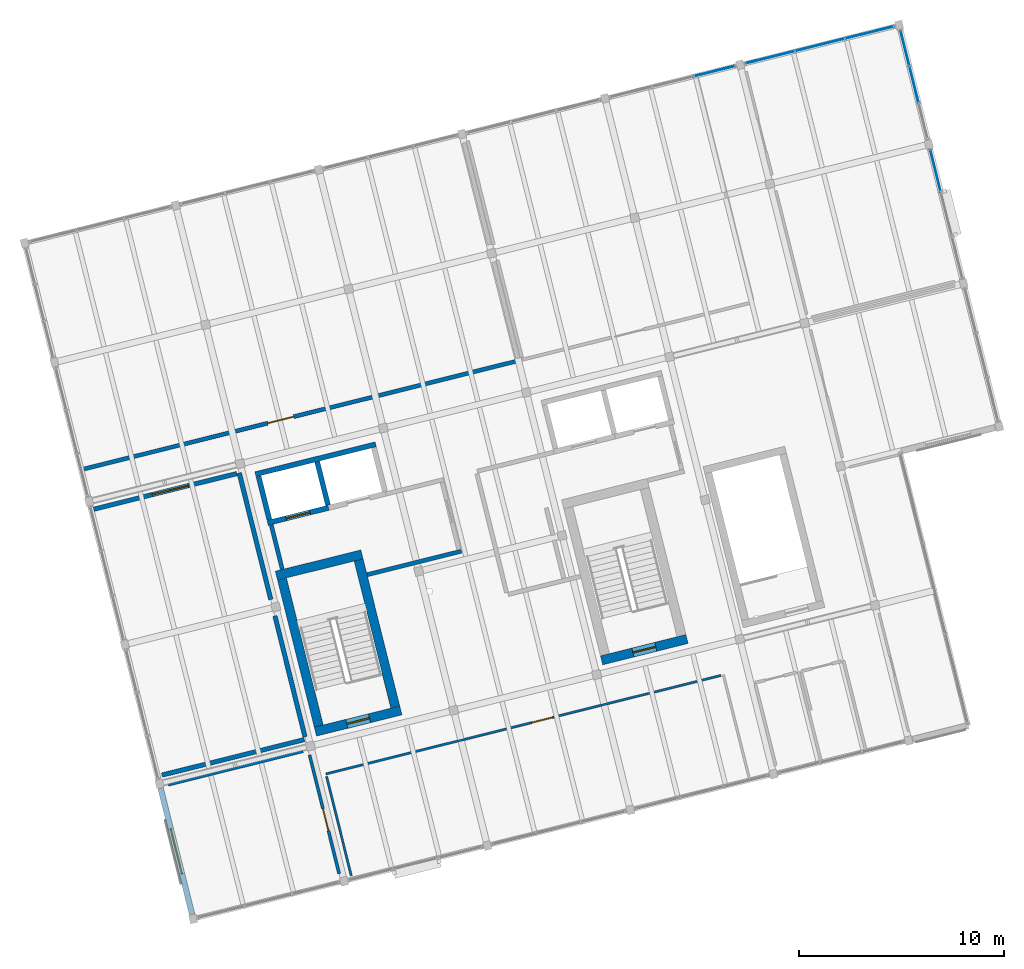
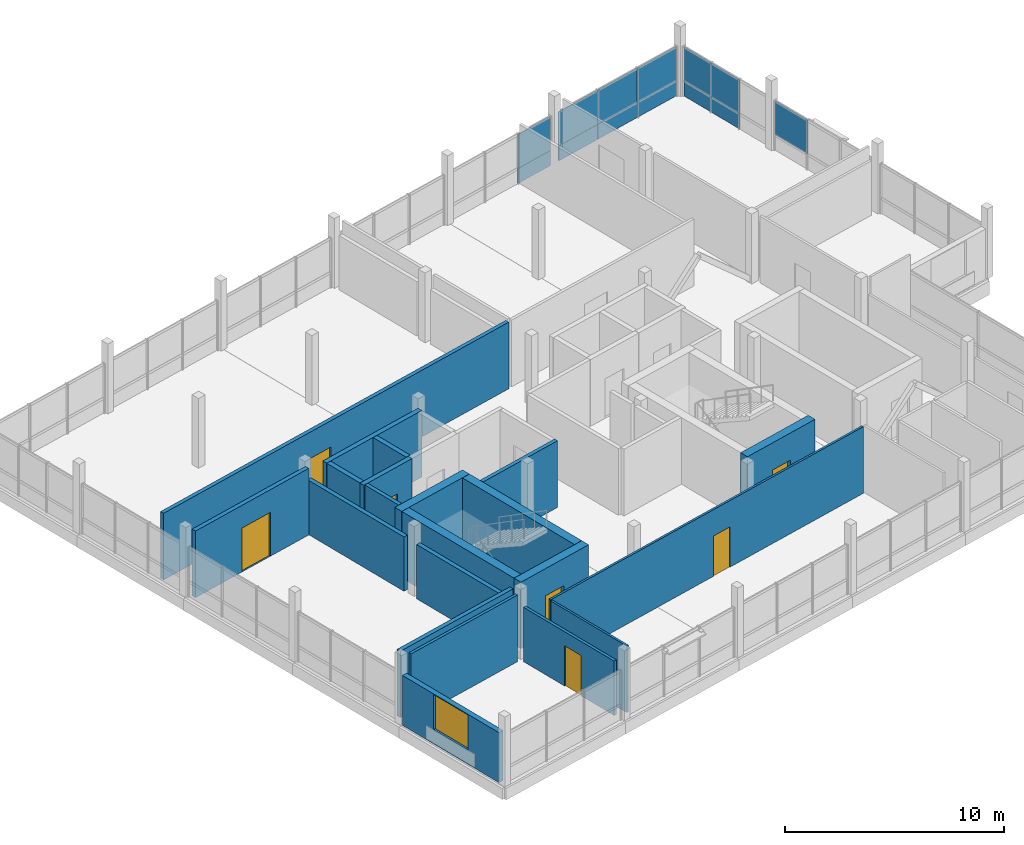
# One storey, part 25 of 28: 21 walls, 13 plates, 7 doors, 1 window, 8 openings, 4 elements without a shape of their own.
"""IFC4 building model written with IfcOpenShell, lengths in metres."""

from ifc_helpers import new_model, si_unit, direction, frame, frame_2d, origin, origin_2d, place, context, subcontext, project, spatial, rectangle, extrude, material, layer, layer_set, type_object, element, fill, aggregate, save


model = new_model("IFC4")

# Units and contexts
model_context = context("Model", 3, precision=1e-05, world=origin(), true_north=direction((0.0, 1.0)))
body_context = subcontext(model_context, "Body", "Model", "MODEL_VIEW")
ifc_project = project(units=[si_unit("LENGTHUNIT", "METRE"), si_unit("AREAUNIT", "SQUARE_METRE"), si_unit("VOLUMEUNIT", "CUBIC_METRE"), si_unit("PLANEANGLEUNIT", "RADIAN"), si_unit("MASSUNIT", "GRAM", prefix="KILO")], contexts=[model_context])

# Site, building, storey
site_placement = place(None, origin())
site = spatial("IfcSite", under=ifc_project, at=site_placement, CompositionType="ELEMENT")
building_placement = place(site_placement, origin())
building = spatial("IfcBuilding", under=site, at=building_placement, Name="Meriwether Solvik Hall", CompositionType="ELEMENT")
storey_placement = place(building_placement, frame((0.0, 0.0, 30.0)))
storey = spatial("IfcBuildingStorey", under=building, at=storey_placement, Name="L07", CompositionType="ELEMENT", Elevation=30.0)

# Curtain wall, plates
ifc_material_1 = material(Name="Thermally Broken Anodised Aluminium 6063-T6 and Low-E Glass", Category="aluminium")
ifc_layer_1 = layer(ifc_material_1, 0.179931640625)
ifc_layer_set_1 = layer_set([ifc_layer_1], Name="Thermally Broken Anodised Aluminium 6063-T6 and Low-E Glass")
curtain_wall_type_1 = type_object("IfcCurtainWallType", Name="CW-UNIT-C", PredefinedType="USERDEFINED", material=ifc_layer_set_1)
curtain_wall_1_placement = place(storey_placement, origin())
curtain_wall_1 = element("IfcCurtainWall", 1, at=curtain_wall_1_placement, inside=storey, type_object=curtain_wall_type_1, Name="Curtain Wall E3_B2 (L07)", ObjectType="UNITISED CURTAIN WALL", PredefinedType="USERDEFINED")
ifc_material_2 = material(Name="Low-Emissivity Double-Glazed Laminated Glass", Category="glass")
ifc_layer_2 = layer(ifc_material_2, 0.031982421875)
ifc_layer_set_2 = layer_set([ifc_layer_2], Name="Low-Emissivity Double-Glazed Laminated Glass")
plate_type_1 = type_object("IfcPlateType", Name="PLT-GLZ-195X185", PredefinedType="CURTAIN_PANEL", material=ifc_layer_set_2)
plate_1_placement = place(storey_placement, frame((103.35009765625, 83.702392578125, 0.8369140625), z_axis=(0.0, 0.0, 1.0), x_axis=(0.241921889131, -0.970295727889, 0.0)))
plate_1 = element("IfcPlate", 2, at=plate_1_placement, type_object=plate_type_1, Name="Low-E Vision Glazing Panel 1", PredefinedType="CURTAIN_PANEL", context=body_context, shape_type="SweptSolid", body=[
    extrude(rectangle(XDim=1.805908203125, YDim=0.033935546875, at=origin_2d()), origin(), (0.0, 0.0, 1.0), 1.89306640625),
])
plate_2_placement = place(storey_placement, frame((103.79345703125, 81.923828125, 0.8369140625), z_axis=(0.0, 0.0, 1.0), x_axis=(0.241921889131, -0.970295727889, 0.0)))
plate_2 = element("IfcPlate", 3, at=plate_2_placement, type_object=plate_type_1, Name="Low-E Vision Glazing Panel 2", PredefinedType="CURTAIN_PANEL", context=body_context, shape_type="SweptSolid", body=[
    extrude(rectangle(XDim=1.843994140625, YDim=0.033935546875, at=origin_2d()), origin(), (0.0, 0.0, 1.0), 1.89306640625),
])

# Curtain wall, plate
ifc_material_3 = material(Name="Thermally Broken Anodised Aluminium 6063-T6 and Low-E Glass", Category="aluminium")
ifc_layer_3 = layer(ifc_material_3, 0.179931640625)
ifc_layer_set_3 = layer_set([ifc_layer_3], Name="Thermally Broken Anodised Aluminium 6063-T6 and Low-E Glass")
curtain_wall_type_2 = type_object("IfcCurtainWallType", Name="CW-UNIT-B", PredefinedType="USERDEFINED", material=ifc_layer_set_3)
curtain_wall_2_placement = place(storey_placement, origin())
curtain_wall_2 = element("IfcCurtainWall", 4, at=curtain_wall_2_placement, inside=storey, type_object=curtain_wall_type_2, Name="Curtain Wall E3_B1 (L07)", ObjectType="UNITISED CURTAIN WALL", PredefinedType="USERDEFINED")
ifc_material_4 = material(Name="Low-Emissivity Double-Glazed Laminated Glass", Category="glass")
ifc_layer_4 = layer(ifc_material_4, 0.031982421875)
ifc_layer_set_4 = layer_set([ifc_layer_4], Name="Low-Emissivity Double-Glazed Laminated Glass")
plate_type_2 = type_object("IfcPlateType", Name="PLT-GLZ-210X195", PredefinedType="CURTAIN_PANEL", material=ifc_layer_set_4)
plate_3_placement = place(storey_placement, frame((104.841796875, 77.71875, 0.8369140625), z_axis=(0.0, 0.0, 1.0), x_axis=(0.241921751704, -0.970295762153, 0.0)))
plate_3 = element("IfcPlate", 5, at=plate_3_placement, type_object=plate_type_2, Name="Low-E Vision Glazing Panel 1", PredefinedType="CURTAIN_PANEL", context=body_context, shape_type="SweptSolid", body=[
    extrude(rectangle(XDim=2.139404296875, YDim=0.033935546875, at=origin_2d()), origin(), (0.0, 0.0, 1.0), 1.89306640625),
])
aggregate(curtain_wall_2, [plate_3])

# Curtain wall, plates
ifc_material_5 = material(Name="Thermally Broken Anodised Aluminium 6063-T6 and Low-E Glass", Category="aluminium")
ifc_layer_5 = layer(ifc_material_5, 0.179931640625)
ifc_layer_set_5 = layer_set([ifc_layer_5], Name="Thermally Broken Anodised Aluminium 6063-T6 and Low-E Glass")
curtain_wall_type_3 = type_object("IfcCurtainWallType", Name="CW-UNIT-G", PredefinedType="USERDEFINED", material=ifc_layer_set_5)
curtain_wall_3_placement = place(storey_placement, origin())
curtain_wall_3 = element("IfcCurtainWall", 6, at=curtain_wall_3_placement, inside=storey, type_object=curtain_wall_type_3, Name="Curtain Wall E4_B5 (L07)", ObjectType="UNITISED CURTAIN WALL", PredefinedType="USERDEFINED")
plate_4_placement = place(storey_placement, frame((96.760986328125, 83.26220703125, 0.8369140625), z_axis=(0.0, 0.0, 1.0), x_axis=(0.970295756284, 0.241921775244, 0.0)))
plate_4 = element("IfcPlate", 7, at=plate_4_placement, type_object=plate_type_2, Name="Low-E Vision Glazing Panel 1", PredefinedType="CURTAIN_PANEL", context=body_context, shape_type="SweptSolid", body=[
    extrude(rectangle(XDim=2.47265625, YDim=0.033935546875, at=origin_2d()), origin(), (0.0, 0.0, 1.0), 1.89306640625),
])
plate_5_placement = place(storey_placement, frame((99.1865234375, 83.866943359375, 0.8369140625), z_axis=(0.0, 0.0, 1.0), x_axis=(0.970295756284, 0.241921775244, 0.0)))
plate_5 = element("IfcPlate", 8, at=plate_5_placement, type_object=plate_type_2, Name="Low-E Vision Glazing Panel 2", PredefinedType="CURTAIN_PANEL", context=body_context, shape_type="SweptSolid", body=[
    extrude(rectangle(XDim=2.5107421875, YDim=0.033935546875, at=origin_2d()), origin(), (0.0, 0.0, 1.0), 1.89306640625),
])
plate_6_placement = place(storey_placement, frame((101.61181640625, 84.4716796875, 0.8369140625), z_axis=(0.0, 0.0, 1.0), x_axis=(0.970295756284, 0.241921775244, 0.0)))
plate_6 = element("IfcPlate", 9, at=plate_6_placement, type_object=plate_type_2, Name="Low-E Vision Glazing Panel 3", PredefinedType="CURTAIN_PANEL", context=body_context, shape_type="SweptSolid", body=[
    extrude(rectangle(XDim=2.47265625, YDim=0.033935546875, at=origin_2d()), origin(), (0.0, 0.0, 1.0), 1.89306640625),
])

# Curtain wall, plate
ifc_material_6 = material(Name="Thermally Broken Anodised Aluminium 6063-T6 and Low-E Glass", Category="aluminium")
ifc_layer_6 = layer(ifc_material_6, 0.179931640625)
ifc_layer_set_6 = layer_set([ifc_layer_6], Name="Thermally Broken Anodised Aluminium 6063-T6 and Low-E Glass")
curtain_wall_type_4 = type_object("IfcCurtainWallType", Name="CW-UNIT-F", PredefinedType="USERDEFINED", material=ifc_layer_set_6)
curtain_wall_4_placement = place(storey_placement, origin())
curtain_wall_4 = element("IfcCurtainWall", 10, at=curtain_wall_4_placement, inside=storey, type_object=curtain_wall_type_4, Name="Curtain Wall E4_B4 (L07)", ObjectType="UNITISED CURTAIN WALL", PredefinedType="USERDEFINED")
ifc_material_7 = material(Name="Low-Emissivity Double-Glazed Laminated Glass", Category="glass")
ifc_layer_7 = layer(ifc_material_7, 0.031982421875)
ifc_layer_set_7 = layer_set([ifc_layer_7], Name="Low-Emissivity Double-Glazed Laminated Glass")
plate_type_3 = type_object("IfcPlateType", Name="PLT-GLZ-225X195", PredefinedType="CURTAIN_PANEL", material=ifc_layer_set_7)
plate_7_placement = place(storey_placement, frame((94.043701171875, 82.584716796875, 0.8369140625), z_axis=(0.0, 0.0, 1.0), x_axis=(0.970295750618, 0.24192179797, 0.0)))
plate_7 = element("IfcPlate", 11, at=plate_7_placement, type_object=plate_type_3, Name="Low-E Vision Glazing Panel 3", PredefinedType="CURTAIN_PANEL", context=body_context, shape_type="SweptSolid", body=[
    extrude(rectangle(XDim=2.07275390625, YDim=0.033935546875, at=origin_2d()), origin(), (0.0, 0.0, 1.0), 1.89306640625),
])

# Plate
ifc_material_8 = material(Name="Mineral-Wool Insulated Anodised Aluminium 6063-T6", Category="aluminium")
ifc_layer_8 = layer(ifc_material_8, 0.044921875)
ifc_layer_set_8 = layer_set([ifc_layer_8], Name="Mineral-Wool Insulated Anodised Aluminium 6063-T6")
plate_type_4 = type_object("IfcPlateType", Name="PLT-SPN-225X085", PredefinedType="CURTAIN_PANEL", material=ifc_layer_set_8)
plate_8_placement = place(storey_placement, frame((103.35009765625, 83.702392578125, 0.0), z_axis=(0.0, 0.0, 1.0), x_axis=(0.241921889131, -0.970295727889, 0.0)))
plate_8 = element("IfcPlate", 12, at=plate_8_placement, type_object=plate_type_4, Name="Insulated Spandrel Panel 1", PredefinedType="CURTAIN_PANEL", context=body_context, shape_type="SweptSolid", body=[
    extrude(rectangle(XDim=1.805908203125, YDim=0.044921875, at=origin_2d()), origin(), (0.0, 0.0, 1.0), 0.8369140625),
])

plate_9_placement = place(storey_placement, frame((103.79345703125, 81.923828125, 0.0), z_axis=(0.0, 0.0, 1.0), x_axis=(0.241921889131, -0.970295727889, 0.0)))
plate_9 = element("IfcPlate", 13, at=plate_9_placement, type_object=plate_type_4, Name="Insulated Spandrel Panel 2", PredefinedType="CURTAIN_PANEL", context=body_context, shape_type="SweptSolid", body=[
    extrude(rectangle(XDim=1.843994140625, YDim=0.044921875, at=origin_2d()), origin(), (0.0, 0.0, 1.0), 0.8369140625),
])

aggregate(curtain_wall_1, [plate_8, plate_1, plate_9, plate_2])

plate_10_placement = place(storey_placement, frame((94.043701171875, 82.584716796875, 0.0), z_axis=(0.0, 0.0, 1.0), x_axis=(0.970295750618, 0.24192179797, 0.0)))
plate_10 = element("IfcPlate", 14, at=plate_10_placement, type_object=plate_type_4, Name="Insulated Spandrel Panel 3", PredefinedType="CURTAIN_PANEL", context=body_context, shape_type="SweptSolid", body=[
    extrude(rectangle(XDim=2.07275390625, YDim=0.044921875, at=origin_2d()), origin(), (0.0, 0.0, 1.0), 0.8369140625),
])

aggregate(curtain_wall_4, [plate_10, plate_7])

plate_11_placement = place(storey_placement, frame((96.760986328125, 83.26220703125, 0.0), z_axis=(0.0, 0.0, 1.0), x_axis=(0.970295756284, 0.241921775244, 0.0)))
plate_11 = element("IfcPlate", 15, at=plate_11_placement, type_object=plate_type_4, Name="Insulated Spandrel Panel 1", PredefinedType="CURTAIN_PANEL", context=body_context, shape_type="SweptSolid", body=[
    extrude(rectangle(XDim=2.47265625, YDim=0.044921875, at=origin_2d()), origin(), (0.0, 0.0, 1.0), 0.8369140625),
])

plate_12_placement = place(storey_placement, frame((99.1865234375, 83.866943359375, 0.0), z_axis=(0.0, 0.0, 1.0), x_axis=(0.970295756284, 0.241921775244, 0.0)))
plate_12 = element("IfcPlate", 16, at=plate_12_placement, type_object=plate_type_4, Name="Insulated Spandrel Panel 2", PredefinedType="CURTAIN_PANEL", context=body_context, shape_type="SweptSolid", body=[
    extrude(rectangle(XDim=2.5107421875, YDim=0.044921875, at=origin_2d()), origin(), (0.0, 0.0, 1.0), 0.8369140625),
])

plate_13_placement = place(storey_placement, frame((101.61181640625, 84.4716796875, 0.0), z_axis=(0.0, 0.0, 1.0), x_axis=(0.970295756284, 0.241921775244, 0.0)))
plate_13 = element("IfcPlate", 17, at=plate_13_placement, type_object=plate_type_4, Name="Insulated Spandrel Panel 3", PredefinedType="CURTAIN_PANEL", context=body_context, shape_type="SweptSolid", body=[
    extrude(rectangle(XDim=2.47265625, YDim=0.044921875, at=origin_2d()), origin(), (0.0, 0.0, 1.0), 0.8369140625),
])

aggregate(curtain_wall_3, [plate_11, plate_4, plate_12, plate_5, plate_13, plate_6])

# Walls
ifc_material_9 = material(Name="Acoustic Mineral-Wool Double Gypsum Board", Category="gypsum")
ifc_layer_9 = layer(ifc_material_9, 0.219970703125)
ifc_layer_set_9 = layer_set([ifc_layer_9], Name="Acoustic Mineral-Wool Double Gypsum Board")
wall_type_1 = type_object("IfcWallType", Name="WALL-ACST-220", PredefinedType="PARTITIONING", material=ifc_layer_set_9)
wall_1_placement = place(storey_placement, frame((67.07421875, 48.219482421875, 0.0), z_axis=(0.0, 0.0, 1.0), x_axis=(0.970300710949, 0.24190190229, 0.0)))
element("IfcWall", 18, at=wall_1_placement, inside=storey, type_object=wall_type_1, Name="L07 Interior Partition cls_7b_s", PredefinedType="PARTITIONING", context=body_context, shape_type="SweptSolid", body=[
    extrude(rectangle(XDim=7.16162109375, YDim=0.219970703125, at=frame_2d((3.580810546875, 0.0))), origin(), (0.0, 0.0, 1.0), 3.719970703125),
])
wall_2_placement = place(storey_placement, frame((74.062744140625, 50.08544921875, 0.0), z_axis=(0.0, 0.0, 1.0), x_axis=(-0.241950623602, 0.970288563129, 0.0)))
element("IfcWall", 19, at=wall_2_placement, inside=storey, type_object=wall_type_1, Name="L07 Interior Partition cls_7b_e", PredefinedType="PARTITIONING", context=body_context, shape_type="SweptSolid", body=[
    extrude(rectangle(XDim=6.088623046875, YDim=0.219970703125, at=frame_2d((3.04443359375, 0.0))), origin(), (0.0, 0.0, 1.0), 3.034912109375),
])
wall_3_placement = place(storey_placement, frame((72.39013671875, 56.793701171875, 0.0), z_axis=(0.0, 0.0, 1.0), x_axis=(-0.241940051257, 0.970291199382, 0.0)))
element("IfcWall", 20, at=wall_3_placement, inside=storey, type_object=wall_type_1, Name="L07 Interior Partition cls_7b_e_s2", PredefinedType="PARTITIONING", context=body_context, shape_type="SweptSolid", body=[
    extrude(rectangle(XDim=6.366455078125, YDim=0.219970703125, at=frame_2d((3.18310546875, 0.0))), origin(), (0.0, 0.0, 1.0), 3.034912109375),
])

# Wall, opening, door
wall_4_placement = place(storey_placement, frame((70.7333984375, 62.94189453125, 0.0), z_axis=(0.0, 0.0, 1.0), x_axis=(-0.970295795524, -0.241921617862, 0.0)))
wall_4 = element("IfcWall", 21, at=wall_4_placement, inside=storey, type_object=wall_type_1, Name="L07 Interior Partition cls_7b_n", PredefinedType="PARTITIONING", context=body_context, shape_type="SweptSolid", body=[
    extrude(rectangle(XDim=7.20458984375, YDim=0.219970703125, at=frame_2d((3.602294921875, 0.0))), origin(), (0.0, 0.0, 1.0), 3.719970703125),
])
opening_1_placement = place(wall_4_placement, frame((2.449951171875, 0.0, 0.0)))
opening_1 = element("IfcOpeningElement", 22, at=opening_1_placement, cuts=wall_4, Name="Opening D-182", PredefinedType="OPENING", context=body_context, shape_type="SweptSolid", body=[
    extrude(rectangle(XDim=1.800048828125, YDim=2.449951171875, at=frame_2d((0.89990234375, 1.22509765625))), frame((0.0, 0.1220703125, 0.0), z_axis=(0.0, -1.0, 0.0), x_axis=(1.0, 0.0, 0.0)), (0.0, 0.0, 1.0), 0.243896484375),
])
ifc_material_10 = material(Name="Solid-Core Rift White Oak Timber", Category="wood")
door_type_1 = type_object("IfcDoorType", Name="DR-AC-1800", OperationType="DOUBLE_DOOR_SINGLE_SWING", PredefinedType="DOOR", material=ifc_material_10)
door_1_placement = place(opening_1_placement, origin())
door_1 = element("IfcDoor", 23, at=door_1_placement, inside=storey, type_object=door_type_1, Name="L07 Choral Ensemble Studio Door", OperationType="DOUBLE_DOOR_SINGLE_SWING", OverallHeight=2.449951171875, OverallWidth=1.800048828125, PredefinedType="DOOR", context=body_context, shape_type="SweptSolid", body=[
    extrude(rectangle(XDim=1.800048828125, YDim=2.449951171875, at=frame_2d((0.89990234375, 1.22509765625))), frame((0.0, 0.02490234375, 0.0), z_axis=(0.0, -1.0, 0.0), x_axis=(1.0, 0.0, 0.0)), (0.0, 0.0, 1.0), 0.050048828125),
])
fill(opening_1, door_1)

# Wall, opening, window
ifc_material_11 = material(Name="Charred Western Red Cedar Timber and Mineral Wool", Category="wood")
ifc_layer_10 = layer(ifc_material_11, 0.27001953125)
ifc_layer_set_10 = layer_set([ifc_layer_10], Name="Charred Western Red Cedar Timber and Mineral Wool")
wall_type_2 = type_object("IfcWallType", Name="WALL-EXT-270", PredefinedType="SOLIDWALL", material=ifc_layer_set_10)
wall_5_placement = place(storey_placement, frame((68.54638671875, 41.41552734375, 0.0), z_axis=(0.0, 0.0, 1.0), x_axis=(-0.241957142504, 0.970286937556, 0.0)))
wall_5 = element("IfcWall", 24, at=wall_5_placement, inside=storey, type_object=wall_type_2, Name="L07 Timber Rainscreen Wall 6.0", PredefinedType="SOLIDWALL", context=body_context, shape_type="SweptSolid", body=[
    extrude(rectangle(XDim=6.35595703125, YDim=0.27001953125, at=frame_2d((3.177978515625, 0.0))), origin(), (0.0, 0.0, 1.0), 2.7900390625),
])
opening_2_placement = place(wall_5_placement, frame((2.052978515625, 0.0, 0.800048828125)))
opening_2 = element("IfcOpeningElement", 25, at=opening_2_placement, cuts=wall_5, Name="Opening WN-150", PredefinedType="OPENING", context=body_context, shape_type="SweptSolid", body=[
    extrude(rectangle(XDim=2.25, YDim=1.949951171875, at=frame_2d((1.125, 0.97509765625))), frame((0.0, 0.14697265625, 0.0), z_axis=(0.0, -1.0, 0.0), x_axis=(1.0, 0.0, 0.0)), (0.0, 0.0, 1.0), 0.2939453125),
])
ifc_material_12 = material(Name="Thermally Broken Anodised Aluminium and Triple Low-E Glass", Category="aluminium")
window_type = type_object("IfcWindowType", Name="WIN-TW-SHARD-225X195", PartitioningType="SINGLE_PANEL", PredefinedType="WINDOW", material=ifc_material_12)
window_placement = place(opening_2_placement, origin())
window = element("IfcWindow", 26, at=window_placement, inside=storey, type_object=window_type, Name="L07 Punched Window 6.0", OverallHeight=1.949951171875, OverallWidth=2.25, PartitioningType="SINGLE_PANEL", PredefinedType="WINDOW", context=body_context, shape_type="SweptSolid", body=[
    extrude(rectangle(XDim=2.25, YDim=1.949951171875, at=frame_2d((1.125, 0.97509765625))), frame((0.0, 0.030029296875, 0.0), z_axis=(0.0, -1.0, 0.0), x_axis=(1.0, 0.0, 0.0)), (0.0, 0.0, 1.0), 0.06005859375),
])
fill(opening_2, window)

# Walls
ifc_material_13 = material(Name="Fire-Rated Type X Gypsum Board", Category="gypsum")
ifc_layer_11 = layer(ifc_material_13, 0.199951171875)
ifc_layer_set_11 = layer_set([ifc_layer_11], Name="Fire-Rated Type X Gypsum Board")
wall_type_3 = type_object("IfcWallType", Name="WALL-FIRE-200", PredefinedType="STANDARD", material=ifc_layer_set_11)
wall_6_placement = place(storey_placement, frame((72.94970703125, 58.269287109375, 0.0), z_axis=(0.0, 0.0, 1.0), x_axis=(-0.24194311862, 0.970290434536, 0.0)))
element("IfcWall", 27, at=wall_6_placement, inside=storey, type_object=wall_type_3, Name="L07 Interior Partition lb1_w", PredefinedType="STANDARD", context=body_context, shape_type="SweptSolid", body=[
    extrude(rectangle(XDim=2.22998046875, YDim=0.199951171875, at=frame_2d((1.114990234375, 0.0))), origin(), (0.0, 0.0, 1.0), 3.719970703125),
])
wall_7_placement = place(storey_placement, frame((77.096923828125, 58.0048828125, 0.0), z_axis=(0.0, 0.0, 1.0), x_axis=(0.970305892741, 0.241881116483, 0.0)))
element("IfcWall", 28, at=wall_7_placement, inside=storey, type_object=wall_type_3, Name="L07 Interior Partition lb1_s", PredefinedType="STANDARD", context=body_context, shape_type="SweptSolid", body=[
    extrude(rectangle(XDim=4.73974609375, YDim=0.199951171875, at=frame_2d((2.369873046875, 0.0))), origin(), (0.0, 0.0, 1.0), 3.719970703125),
])

# Wall, opening, door
wall_8_placement = place(storey_placement, frame((63.190673828125, 63.143310546875, 0.0), z_axis=(0.0, 0.0, 1.0), x_axis=(0.970297434182, 0.241915045462, 0.0)))
wall_8 = element("IfcWall", 29, at=wall_8_placement, inside=storey, type_object=wall_type_3, Name="L07 Interior Partition lab_nw_s", PredefinedType="STANDARD", context=body_context, shape_type="SweptSolid", body=[
    extrude(rectangle(XDim=21.93994140625, YDim=0.199951171875, at=frame_2d((10.969970703125, 0.0))), origin(), (0.0, 0.0, 1.0), 3.719970703125),
])
opening_3_placement = place(wall_8_placement, frame((9.33203125, 0.0, 0.0)))
opening_3 = element("IfcOpeningElement", 30, at=opening_3_placement, cuts=wall_8, Name="Opening D-162", PredefinedType="OPENING", context=body_context, shape_type="SweptSolid", body=[
    extrude(rectangle(XDim=1.300048828125, YDim=2.25, at=frame_2d((0.64990234375, 1.125))), frame((0.0, 0.11181640625, 0.0), z_axis=(0.0, -1.0, 0.0), x_axis=(1.0, 0.0, 0.0)), (0.0, 0.0, 1.0), 0.223876953125),
])
ifc_material_14 = material(Name="Steel A36 Galvanised", Category="steel")
door_type_2 = type_object("IfcDoorType", Name="DR-FD60-1300L", OperationType="SINGLE_SWING_LEFT", PredefinedType="DOOR", material=ifc_material_14)
door_2_placement = place(opening_3_placement, origin())
door_2 = element("IfcDoor", 31, at=door_2_placement, inside=storey, type_object=door_type_2, Name="L07 Materials Testing Lab Door", OperationType="SINGLE_SWING_LEFT", OverallHeight=2.25, OverallWidth=1.300048828125, PredefinedType="DOOR", context=body_context, shape_type="SweptSolid", body=[
    extrude(rectangle(XDim=1.300048828125, YDim=2.25, at=frame_2d((0.64990234375, 1.125))), frame((0.0, 0.02490234375, 0.0), z_axis=(0.0, -1.0, 0.0), x_axis=(1.0, 0.0, 0.0)), (0.0, 0.0, 1.0), 0.050048828125),
])
fill(opening_3, door_2)

ifc_material_15 = material(Name="Tempered Laminated Glass in Anodised Aluminium Frame", Category="aluminium")
ifc_layer_12 = layer(ifc_material_15, 0.112060546875)
ifc_layer_set_12 = layer_set([ifc_layer_12], Name="Tempered Laminated Glass in Anodised Aluminium Frame")
wall_type_4 = type_object("IfcWallType", Name="WALL-GLZ-112", PredefinedType="PARTITIONING", material=ifc_layer_set_12)
wall_9_placement = place(storey_placement, frame((94.36962890625, 53.08740234375, 0.0), z_axis=(0.0, 0.0, 1.0), x_axis=(-0.970294012495, -0.241928769095, 0.0)))
wall_9 = element("IfcWall", 32, at=wall_9_placement, inside=storey, type_object=wall_type_4, Name="L07 Interior Partition conf_s_n", PredefinedType="PARTITIONING", context=body_context, shape_type="SweptSolid", body=[
    extrude(rectangle(XDim=19.880126953125, YDim=0.112060546875, at=frame_2d((9.93994140625, 0.0))), origin(), (0.0, 0.0, 1.0), 3.719970703125),
])
opening_4_placement = place(wall_9_placement, frame((8.484375, 0.0, 0.0)))
opening_4 = element("IfcOpeningElement", 33, at=opening_4_placement, cuts=wall_9, Name="Opening D-175", PredefinedType="OPENING", context=body_context, shape_type="SweptSolid", body=[
    extrude(rectangle(XDim=1.050048828125, YDim=2.25, at=frame_2d((0.52490234375, 1.125))), frame((0.0, 0.06787109375, 0.0), z_axis=(0.0, -1.0, 0.0), x_axis=(1.0, 0.0, 0.0)), (0.0, 0.0, 1.0), 0.135986328125),
])
ifc_material_16 = material(Name="Solid-Core Rift White Oak Timber", Category="wood")
door_type_3 = type_object("IfcDoorType", Name="DR-FEL-1050L", OperationType="SINGLE_SWING_LEFT", PredefinedType="DOOR", material=ifc_material_16)
door_3_placement = place(opening_4_placement, origin())
door_3 = element("IfcDoor", 34, at=door_3_placement, inside=storey, type_object=door_type_3, Name="L07 Dean Conference Room Door", OperationType="SINGLE_SWING_LEFT", OverallHeight=2.25, OverallWidth=1.050048828125, PredefinedType="DOOR", context=body_context, shape_type="SweptSolid", body=[
    extrude(rectangle(XDim=1.050048828125, YDim=2.25, at=frame_2d((0.52490234375, 1.125))), frame((0.0, 0.02490234375, 0.0), z_axis=(0.0, -1.0, 0.0), x_axis=(1.0, 0.0, 0.0)), (0.0, 0.0, 1.0), 0.050048828125),
])
fill(opening_4, door_3)

# Walls
wall_10_placement = place(storey_placement, frame((75.109130859375, 48.16162109375, 0.0), z_axis=(0.0, 0.0, 1.0), x_axis=(0.241915368008, -0.970297353764, 0.0)))
element("IfcWall", 35, at=wall_10_placement, inside=storey, type_object=wall_type_4, Name="L07 Interior Partition conf_s_w", PredefinedType="PARTITIONING", context=body_context, shape_type="SweptSolid", body=[
    extrude(rectangle(XDim=5.001708984375, YDim=0.112060546875, at=frame_2d((2.5009765625, 0.0))), origin(), (0.0, 0.0, 1.0), 3.719970703125),
])
ifc_material_17 = material(Name="Concrete C40/50", Category="concrete")
ifc_layer_13 = layer(ifc_material_17, 0.25)
ifc_layer_set_13 = layer_set([ifc_layer_13], Name="Concrete C40/50")
wall_type_5 = type_object("IfcWallType", Name="WALL-HOIST-250", PredefinedType="SHEAR", material=ifc_layer_set_13)
wall_11_placement = place(storey_placement, frame((77.509765625, 64.36865234375, 0.0), z_axis=(0.0, 0.0, 1.0), x_axis=(-0.970296596103, -0.241918406889, 0.0)))
element("IfcWall", 36, at=wall_11_placement, inside=storey, type_object=wall_type_5, Name="Hoistway BANK1 North Wall (L07)", PredefinedType="SHEAR", context=body_context, shape_type="SweptSolid", body=[
    extrude(rectangle(XDim=6.050048828125, YDim=0.25, at=frame_2d((3.02490234375, 0.0))), origin(), (0.0, 0.0, 1.0), 3.719970703125),
])
for number, where, z_axis, x_axis, name in (
    (37, (71.793212890625, 62.80419921875, 0.0), (0.0, 0.0, 1.0), (0.242008581424, -0.970274108959, 0.0), "Hoistway BANK1 West Wall (L07)"),
    (38, (75.18310546875, 61.402587890625, 0.0), (0.0, 0.0, 1.0), (-0.241903146974, 0.970300400641, 0.0), "Hoistway BANK1 Divider Pier (L07)"),
):
    element("IfcWall", number, at=place(storey_placement, frame(where, z_axis=z_axis, x_axis=x_axis)), inside=storey, type_object=wall_type_5, Name=name, PredefinedType="SHEAR", context=body_context, shape_type="SweptSolid", body=[
        extrude(rectangle(XDim=2.179931640625, YDim=0.25, at=frame_2d((1.08984375, 0.0))), origin(), (0.0, 0.0, 1.0), 3.719970703125),
    ])

# Wall, opening, door
wall_12_placement = place(storey_placement, frame((72.232177734375, 60.52783203125, 0.0), z_axis=(0.0, 0.0, 1.0), x_axis=(0.970296930481, 0.241917065747, 0.0)))
wall_12 = element("IfcWall", 39, at=wall_12_placement, inside=storey, type_object=wall_type_5, Name="Lift LF-01 Landing Wall (L07)", PredefinedType="SHEAR", context=body_context, shape_type="SweptSolid", body=[
    extrude(rectangle(XDim=3.06494140625, YDim=0.25, at=frame_2d((1.532470703125, 0.0))), origin(), (0.0, 0.0, 1.0), 3.719970703125),
])
opening_5_placement = place(wall_12_placement, frame((0.9326171875, 0.0, 0.0)))
opening_5 = element("IfcOpeningElement", 40, at=opening_5_placement, cuts=wall_12, Name="Opening LD-01", PredefinedType="OPENING", context=body_context, shape_type="SweptSolid", body=[
    extrude(rectangle(XDim=1.199951171875, YDim=2.199951171875, at=frame_2d((0.60009765625, 1.10009765625))), frame((0.0, 0.136962890625, 0.0), z_axis=(0.0, -1.0, 0.0), x_axis=(1.0, 0.0, 0.0)), (0.0, 0.0, 1.0), 0.27392578125),
])
ifc_material_18 = material(Name="Stainless Steel AISI 316", Category="steel")
door_type_4 = type_object("IfcDoorType", Name="DR-LIFT-FSAE", OperationType="DOUBLE_DOOR_SLIDING", PredefinedType="DOOR", material=ifc_material_18)
door_4_placement = place(opening_5_placement, origin())
door_4 = element("IfcDoor", 41, at=door_4_placement, inside=storey, type_object=door_type_4, Name="Lift Landing Door LF-01 (L07)", OperationType="DOUBLE_DOOR_SLIDING", OverallHeight=2.199951171875, OverallWidth=1.199951171875, PredefinedType="DOOR", context=body_context, shape_type="SweptSolid", body=[
    extrude(rectangle(XDim=1.199951171875, YDim=2.199951171875, at=frame_2d((0.60009765625, 1.10009765625))), frame((0.0, 0.02490234375, 0.0), z_axis=(0.0, -1.0, 0.0), x_axis=(1.0, 0.0, 0.0)), (0.0, 0.0, 1.0), 0.050048828125),
])
fill(opening_5, door_4)

ifc_material_19 = material(Name="Gypsum Board Partition", Category="gypsum")
ifc_layer_14 = layer(ifc_material_19, 0.14990234375)
ifc_layer_set_14 = layer_set([ifc_layer_14], Name="Gypsum Board Partition")
wall_type_6 = type_object("IfcWallType", Name="WALL-PART-150", PredefinedType="PARTITIONING", material=ifc_layer_set_14)
wall_13_placement = place(storey_placement, frame((75.728759765625, 43.403564453125, 0.0), z_axis=(0.0, 0.0, 1.0), x_axis=(-0.24192989378, 0.970293732071, 0.0)))
wall_13 = element("IfcWall", 42, at=wall_13_placement, inside=storey, type_object=wall_type_6, Name="L07 Interior Partition cls_7a_e", PredefinedType="PARTITIONING", context=body_context, shape_type="SweptSolid", body=[
    extrude(rectangle(XDim=5.97509765625, YDim=0.14990234375, at=frame_2d((2.987548828125, 0.0))), origin(), (0.0, 0.0, 1.0), 3.034912109375),
])
opening_6_placement = place(wall_13_placement, frame((2.172119140625, 0.0, 0.0)))
opening_6 = element("IfcOpeningElement", 43, at=opening_6_placement, cuts=wall_13, Name="Opening D-134", PredefinedType="OPENING", context=body_context, shape_type="SweptSolid", body=[
    extrude(rectangle(XDim=1.10009765625, YDim=2.25, at=frame_2d((0.550048828125, 1.125))), frame((0.0, 0.0869140625, 0.0), z_axis=(0.0, -1.0, 0.0), x_axis=(1.0, 0.0, 0.0)), (0.0, 0.0, 1.0), 0.173828125),
])
ifc_material_20 = material(Name="Laminated Vision Glass and Solid White Oak Timber", Category="wood")
door_type_5 = type_object("IfcDoorType", Name="DR-CLS-1100L", OperationType="SINGLE_SWING_LEFT", PredefinedType="DOOR", material=ifc_material_20)
door_5_placement = place(opening_6_placement, origin())
door_5 = element("IfcDoor", 44, at=door_5_placement, inside=storey, type_object=door_type_5, Name="L07 Civic Debate Classroom Door", OperationType="SINGLE_SWING_LEFT", OverallHeight=2.25, OverallWidth=1.10009765625, PredefinedType="DOOR", context=body_context, shape_type="SweptSolid", body=[
    extrude(rectangle(XDim=1.10009765625, YDim=2.25, at=frame_2d((0.550048828125, 1.125))), frame((0.0, 0.02490234375, 0.0), z_axis=(0.0, -1.0, 0.0), x_axis=(1.0, 0.0, 0.0)), (0.0, 0.0, 1.0), 0.050048828125),
])
fill(opening_6, door_5)

# Wall
wall_14_placement = place(storey_placement, frame((73.96435546875, 49.39111328125, 0.0), z_axis=(0.0, 0.0, 1.0), x_axis=(-0.970292809139, -0.241933595297, 0.0)))
element("IfcWall", 45, at=wall_14_placement, inside=storey, type_object=wall_type_6, Name="L07 Interior Partition cls_7a_n", PredefinedType="PARTITIONING", context=body_context, shape_type="SweptSolid", body=[
    extrude(rectangle(XDim=6.775146484375, YDim=0.14990234375, at=frame_2d((3.3876953125, 0.0))), origin(), (0.0, 0.0, 1.0), 3.719970703125),
])

# Wall, opening, door
ifc_material_21 = material(Name="Concrete C45/55", Category="concrete")
ifc_layer_15 = layer(ifc_material_21, 0.449951171875)
ifc_layer_set_15 = layer_set([ifc_layer_15], Name="Concrete C45/55")
wall_type_7 = type_object("IfcWallType", Name="WALL-RC-450", PredefinedType="SHEAR", material=ifc_layer_set_15)
wall_15_placement = place(storey_placement, frame((74.566162109375, 50.33984375, 0.0), z_axis=(0.0, 0.0, 1.0), x_axis=(0.970292610647, 0.241934391361, 0.0)))
wall_15 = element("IfcWall", 46, at=wall_15_placement, inside=storey, type_object=wall_type_7, Name="CORE-1 Shear Wall S (L07)", PredefinedType="SHEAR", context=body_context, shape_type="SweptSolid", body=[
    extrude(rectangle(XDim=4.2998046875, YDim=0.449951171875, at=frame_2d((2.14990234375, 0.0))), origin(), (0.0, 0.0, 1.0), 3.719970703125),
])
opening_7_placement = place(wall_15_placement, frame((1.574951171875, 0.0, 0.0)))
opening_7 = element("IfcOpeningElement", 47, at=opening_7_placement, cuts=wall_15, Name="Opening D-189", PredefinedType="OPENING", context=body_context, shape_type="SweptSolid", body=[
    extrude(rectangle(XDim=1.14990234375, YDim=2.199951171875, at=frame_2d((0.574951171875, 1.10009765625))), frame((0.0, 0.23681640625, 0.0), z_axis=(0.0, -1.0, 0.0), x_axis=(1.0, 0.0, 0.0)), (0.0, 0.0, 1.0), 0.473876953125),
])
ifc_material_22 = material(Name="Steel A36 Galvanised", Category="steel")
door_type_6 = type_object("IfcDoorType", Name="DR-FD90-1150L", OperationType="SINGLE_SWING_LEFT", PredefinedType="DOOR", material=ifc_material_22)
door_6_placement = place(opening_7_placement, origin())
door_6 = element("IfcDoor", 48, at=door_6_placement, inside=storey, type_object=door_type_6, Name="Stair ST-01 Smokeproof Exit Door (L07)", OperationType="SINGLE_SWING_LEFT", OverallHeight=2.199951171875, OverallWidth=1.14990234375, PredefinedType="DOOR", context=body_context, shape_type="SweptSolid", body=[
    extrude(rectangle(XDim=1.14990234375, YDim=2.199951171875, at=frame_2d((0.574951171875, 1.10009765625))), frame((0.0, 0.02490234375, 0.0), z_axis=(0.0, -1.0, 0.0), x_axis=(1.0, 0.0, 0.0)), (0.0, 0.0, 1.0), 0.050048828125),
])
fill(opening_7, door_6)

# Walls
wall_16_placement = place(storey_placement, frame((76.83935546875, 58.996826171875, 0.0), z_axis=(0.0, 0.0, 1.0), x_axis=(-0.970295933763, -0.241921063415, 0.0)))
element("IfcWall", 49, at=wall_16_placement, inside=storey, type_object=wall_type_7, Name="CORE-1 Shear Wall N (L07)", PredefinedType="SHEAR", context=body_context, shape_type="SweptSolid", body=[
    extrude(rectangle(XDim=4.300048828125, YDim=0.449951171875, at=frame_2d((2.14990234375, 0.0))), origin(), (0.0, 0.0, 1.0), 3.719970703125),
])
for number, where, z_axis, x_axis, name in (
    (50, (72.942138671875, 57.782958984375, 0.0), (0.0, 0.0, 1.0), (0.241928426141, -0.970294098006, 0.0), "CORE-1 Shear Wall W (L07)"),
    (51, (78.463134765625, 51.5537109375, 0.0), (0.0, 0.0, 1.0), (-0.241928426141, 0.970294098006, 0.0), "CORE-1 Shear Wall E (L07)"),
):
    element("IfcWall", number, at=place(storey_placement, frame(where, z_axis=z_axis, x_axis=x_axis)), inside=storey, type_object=wall_type_7, Name=name, PredefinedType="SHEAR", context=body_context, shape_type="SweptSolid", body=[
        extrude(rectangle(XDim=7.3798828125, YDim=0.449951171875, at=frame_2d((3.68994140625, 0.0))), origin(), (0.0, 0.0, 1.0), 3.719970703125),
    ])

# Wall, opening, door
wall_17_placement = place(storey_placement, frame((88.538330078125, 53.823486328125, 0.0), z_axis=(0.0, 0.0, 1.0), x_axis=(0.970295933763, 0.241921063415, 0.0)))
wall_17 = element("IfcWall", 52, at=wall_17_placement, inside=storey, type_object=wall_type_7, Name="CORE-2 Shear Wall S (L07)", PredefinedType="SHEAR", context=body_context, shape_type="SweptSolid", body=[
    extrude(rectangle(XDim=4.300048828125, YDim=0.449951171875, at=frame_2d((2.14990234375, 0.0))), origin(), (0.0, 0.0, 1.0), 3.719970703125),
])
opening_8_placement = place(wall_17_placement, frame((1.574951171875, 0.0, 0.0)))
opening_8 = element("IfcOpeningElement", 53, at=opening_8_placement, cuts=wall_17, Name="Opening D-148", PredefinedType="OPENING", context=body_context, shape_type="SweptSolid", body=[
    extrude(rectangle(XDim=1.14990234375, YDim=2.199951171875, at=frame_2d((0.574951171875, 1.10009765625))), frame((0.0, 0.23681640625, 0.0), z_axis=(0.0, -1.0, 0.0), x_axis=(1.0, 0.0, 0.0)), (0.0, 0.0, 1.0), 0.473876953125),
])
ifc_material_23 = material(Name="Steel A36 Galvanised", Category="steel")
door_type_7 = type_object("IfcDoorType", Name="DR-FD90-1150R", OperationType="SINGLE_SWING_RIGHT", PredefinedType="DOOR", material=ifc_material_23)
door_7_placement = place(opening_8_placement, origin())
door_7 = element("IfcDoor", 54, at=door_7_placement, inside=storey, type_object=door_type_7, Name="Stair ST-02 Smokeproof Exit Door (L07)", OperationType="SINGLE_SWING_RIGHT", OverallHeight=2.199951171875, OverallWidth=1.14990234375, PredefinedType="DOOR", context=body_context, shape_type="SweptSolid", body=[
    extrude(rectangle(XDim=1.14990234375, YDim=2.199951171875, at=frame_2d((0.574951171875, 1.10009765625))), frame((0.0, 0.02490234375, 0.0), z_axis=(0.0, -1.0, 0.0), x_axis=(1.0, 0.0, 0.0)), (0.0, 0.0, 1.0), 0.050048828125),
])
fill(opening_8, door_7)

save(model, "model.ifc")
